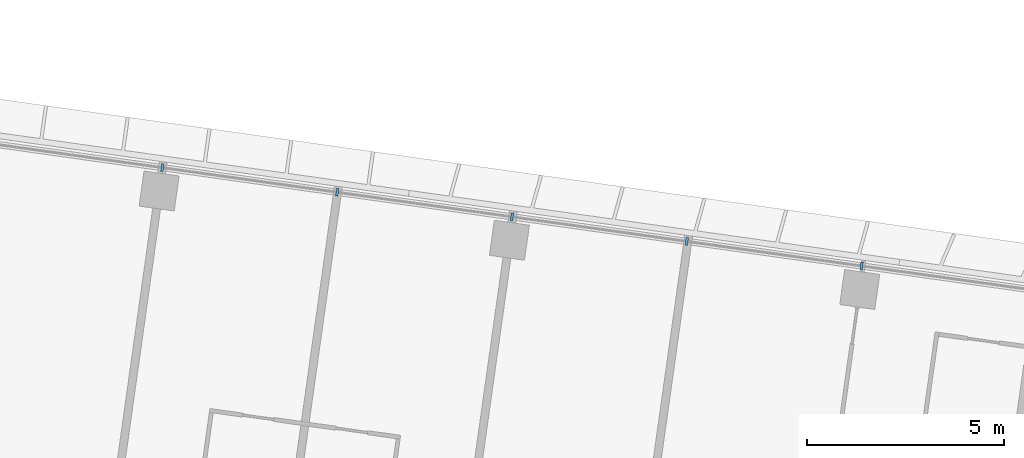
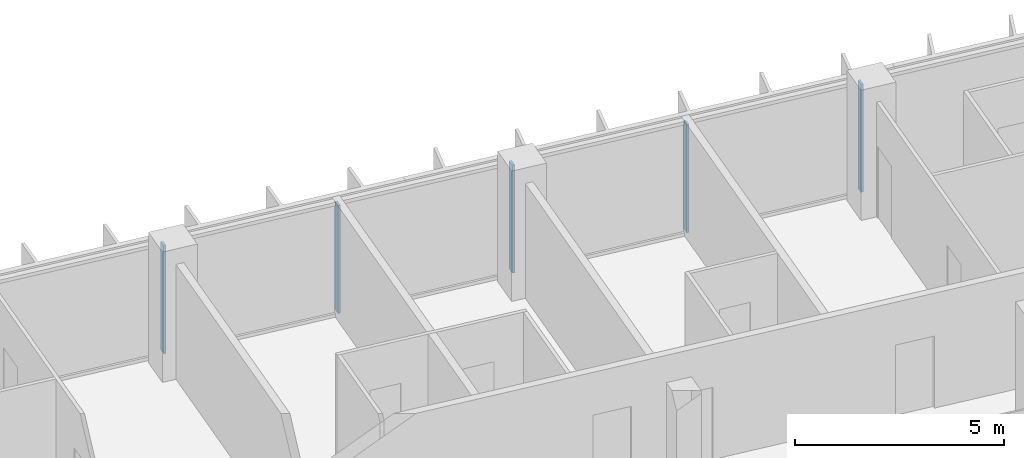
# One storey, part 5 of 24: 5 members, 1 element without a shape of its own.
"""IFC4 building model written with IfcOpenShell, lengths in metres."""

import ifcopenshell
import ifcopenshell.guid

model = None  # the IFC model being written
_history = None  # IfcOwnerHistory: only IFC2X3 demands one
_inside = {}  # id of a spatial element -> (the spatial element, [elements in it])
_under = {}  # id of a project, library or spatial element -> (it, [spatial elements below it])
_declared = {}  # id of a project -> (the project, [libraries it declares])
_typed = {}  # id of a type object -> (the type object, [elements of that type])
_made_of = {}  # id of a material, layer set ... -> (it, [elements and type objects made of it])


def new_model(schema):
    """Start an empty IFC model of exactly this schema.

    Asked for "IFC4X3", IfcOpenShell would pick the latest addendum, in which some entities
    have other attributes; the version numbers below select the first issue.
    IFC2X3 requires an IfcOwnerHistory on every rooted entity: one is made here for all.
    """
    global model, _history
    if schema == "IFC4X3":
        model = ifcopenshell.file(schema_version=(4, 3, 0, 0))
    else:
        model = ifcopenshell.file(schema=schema)
    _inside.clear()
    _under.clear()
    _declared.clear()
    _typed.clear()
    _made_of.clear()
    _history = None
    if model.schema == "IFC2X3":
        org = make("IfcOrganization", Name="unknown")
        user = make(
            "IfcPersonAndOrganization",
            ThePerson=make("IfcPerson", FamilyName="unknown"),
            TheOrganization=org,
        )
        app = make(
            "IfcApplication",
            ApplicationDeveloper=org,
            Version="unknown",
            ApplicationFullName="unknown",
            ApplicationIdentifier="unknown",
        )
        _history = make(
            "IfcOwnerHistory",
            OwningUser=user,
            OwningApplication=app,
            ChangeAction="ADDED",
            CreationDate=0,
        )
    return model


def make(cls, **values):
    """One entity of the class cls with the attributes given. An attribute that is None is left unset."""
    return model.create_entity(
        cls, **{name: value for name, value in values.items() if value is not None}
    )


def rooted(cls, **values):
    """An entity with a GlobalId (a new one), such as an element, a storey or a relation."""
    return make(cls, GlobalId=ifcopenshell.guid.new(), OwnerHistory=_history, **values)


def si_unit(unit_type, name, prefix=None):
    """IfcSIUnit, for example si_unit("LENGTHUNIT", "METRE", prefix="MILLI")."""
    return make("IfcSIUnit", UnitType=unit_type, Prefix=prefix, Name=name)


def assignment(units):
    """IfcUnitAssignment: the units of a project."""
    return None if units is None else make("IfcUnitAssignment", Units=units)


def point(xyz):
    """IfcCartesianPoint."""
    return None if xyz is None else make("IfcCartesianPoint", Coordinates=xyz)


def direction(xyz):
    """IfcDirection."""
    return None if xyz is None else make("IfcDirection", DirectionRatios=xyz)


def frame(location, z_axis=None, x_axis=None):
    """IfcAxis2Placement3D, a coordinate frame: its origin and axes. An axis left out is left unset."""
    return make(
        "IfcAxis2Placement3D",
        Location=point(location),
        Axis=direction(z_axis),
        RefDirection=direction(x_axis),
    )


def frame_2d(location, x_axis=None):
    """IfcAxis2Placement2D, a coordinate frame in the plane: its origin and x axis."""
    return make(
        "IfcAxis2Placement2D", Location=point(location), RefDirection=direction(x_axis)
    )


def origin():
    """The frame at (0, 0, 0) with its axes left unset."""
    return frame((0.0, 0.0, 0.0))


def origin_2d():
    """The frame at (0, 0) in the plane with its x axis left unset."""
    return frame_2d((0.0, 0.0))


def place(relative_to, where):
    """IfcLocalPlacement: puts the frame where relative to a parent placement (None: the world)."""
    return make(
        "IfcLocalPlacement", PlacementRelTo=relative_to, RelativePlacement=where
    )


def context(
    kind, dimensions, precision=None, world=None, true_north=None, identifier=None
):
    """IfcGeometricRepresentationContext, for example the 3D "Model" context."""
    return make(
        "IfcGeometricRepresentationContext",
        ContextIdentifier=identifier,
        ContextType=kind,
        CoordinateSpaceDimension=dimensions,
        Precision=precision,
        WorldCoordinateSystem=world,
        TrueNorth=true_north,
    )


def subcontext(parent, identifier, kind, view, scale=None):
    """IfcGeometricRepresentationSubContext, for example "Body" below "Model"."""
    return make(
        "IfcGeometricRepresentationSubContext",
        ContextIdentifier=identifier,
        ContextType=kind,
        ParentContext=parent,
        TargetScale=scale,
        TargetView=view,
    )


def project(units=None, contexts=None):
    """IfcProject with its units and contexts."""
    return rooted(
        "IfcProject",
        Name="project",
        RepresentationContexts=contexts,
        UnitsInContext=assignment(units),
    )


def spatial(cls, under=None, at=None, **own):
    """A site, building, storey or space (cls), placed at a placement, below another one or the project."""
    s = rooted(cls, ObjectPlacement=at, **own)
    if under is not None:
        _under.setdefault(under.id(), (under, []))[1].append(s)
    return s


def profile(cls, at=None, kind="AREA", **sizes):
    """A parametric profile (cls). Its sizes go by their IFC names, for example OverallWidth=200.0."""
    return make(cls, ProfileType=kind, Position=at, **sizes)


def rectangle(**sizes):
    """IfcRectangleProfileDef."""
    return profile("IfcRectangleProfileDef", **sizes)


def extrude(swept, where, along, depth):
    """IfcExtrudedAreaSolid: the profile swept, set in the frame where, extruded along a direction by depth."""
    return make(
        "IfcExtrudedAreaSolid",
        SweptArea=swept,
        Position=where,
        ExtrudedDirection=direction(along),
        Depth=depth,
    )


def shape(context_of_items, identifier, shape_type, items):
    """IfcShapeRepresentation: the items that make up one representation, for example the "Body"."""
    return make(
        "IfcShapeRepresentation",
        ContextOfItems=context_of_items,
        RepresentationIdentifier=identifier,
        RepresentationType=shape_type,
        Items=items,
    )


def material(Name=None, Category=None):
    """IfcMaterial."""
    return make("IfcMaterial", Name=Name, Category=Category)


def material_profile(
    of_material, cross_section, Name=None, Category=None, Priority=None
):
    """IfcMaterialProfile: a cross section and its material."""
    return make(
        "IfcMaterialProfile",
        Name=Name,
        Material=of_material,
        Profile=cross_section,
        Priority=Priority,
        Category=Category,
    )


def profile_set(profiles, Name=None, composite=None):
    """IfcMaterialProfileSet."""
    return make(
        "IfcMaterialProfileSet",
        Name=Name,
        MaterialProfiles=profiles,
        CompositeProfile=composite,
    )


def made_of(thing, what):
    """Note that an element or type object is made of a material, layer set ...; save() writes the relation."""
    if what is not None:
        _made_of.setdefault(what.id(), (what, []))[1].append(thing)
    return thing


def type_object(cls, material=None, **own):
    """A type object (cls), such as IfcWallType, which elements share."""
    return made_of(rooted(cls, **own), material)


def element(
    cls,
    number,
    at=None,
    inside=None,
    cuts=None,
    type_object=None,
    material=None,
    context=None,
    identifier="Body",
    shape_type=None,
    held_by="IfcProductDefinitionShape",
    body=None,
    shapes=None,
    **own,
):
    """One element of the class cls, such as IfcWall. Its Tag is "e" and its number.

    at: its placement. inside: the storey or other place that contains it. cuts: it is an
    opening in that element (IfcRelVoidsElement). A single representation is given by context,
    identifier, shape_type and body (its items); several are given by shapes. held_by: the class
    of the entity that holds the representations. save() writes the other relations.
    """
    e = rooted(cls, Tag="e%d" % number, ObjectPlacement=at, **own)
    if body is not None:
        shapes = [shape(context, identifier, shape_type, body)]
    if shapes is not None:
        e.Representation = make(held_by, Representations=shapes)
    if inside is not None:
        _inside.setdefault(inside.id(), (inside, []))[1].append(e)
    if cuts is not None:
        rooted(
            "IfcRelVoidsElement", RelatingBuildingElement=cuts, RelatedOpeningElement=e
        )
    if type_object is not None:
        _typed.setdefault(type_object.id(), (type_object, []))[1].append(e)
    return made_of(e, material)


def aggregate(whole, parts):
    """IfcRelAggregates: a whole, such as a stair, and the parts it consists of."""
    return rooted("IfcRelAggregates", RelatingObject=whole, RelatedObjects=parts)


def save(model, path):
    """Write the relations noted so far, then the file.

    IfcRelAggregates (storeys below a building ...), IfcRelContainedInSpatialStructure (elements
    in a storey), IfcRelDefinesByType, IfcRelAssociatesMaterial and IfcRelDeclares: one each for
    every whole, place, type object, material and project.
    """
    for whole, parts in _under.values():
        aggregate(whole, parts)
    for where, things in _inside.values():
        rooted(
            "IfcRelContainedInSpatialStructure",
            RelatedElements=things,
            RelatingStructure=where,
        )
    for kind, things in _typed.values():
        rooted("IfcRelDefinesByType", RelatedObjects=things, RelatingType=kind)
    for what, things in _made_of.values():
        rooted("IfcRelAssociatesMaterial", RelatedObjects=things, RelatingMaterial=what)
    for by, libraries in _declared.values():
        rooted("IfcRelDeclares", RelatingContext=by, RelatedDefinitions=libraries)
    model.write(path)


model = new_model("IFC4")

# Units and contexts
model_context = context("Model", 3, precision=1e-05, world=origin(), true_north=direction((0.0, 1.0)))
body_context = subcontext(model_context, "Body", "Model", "MODEL_VIEW")
ifc_project = project(units=[si_unit("LENGTHUNIT", "METRE"), si_unit("AREAUNIT", "SQUARE_METRE"), si_unit("VOLUMEUNIT", "CUBIC_METRE"), si_unit("PLANEANGLEUNIT", "RADIAN"), si_unit("MASSUNIT", "GRAM", prefix="KILO")], contexts=[model_context])

# Site, building, storey
site_placement = place(None, origin())
site = spatial("IfcSite", under=ifc_project, at=site_placement, CompositionType="ELEMENT")
building_placement = place(site_placement, origin())
building = spatial("IfcBuilding", under=site, at=building_placement, Name="Mirante Cascada Hotel Towers", CompositionType="ELEMENT")
storey_placement = place(building_placement, frame((0.0, 0.0, 110.1)))
storey = spatial("IfcBuildingStorey", under=building, at=storey_placement, Name="L24", CompositionType="ELEMENT", Elevation=110.1)

# Curtain wall, members
ifc_material_1 = material(Name="Aluminium mullion and transom frame with clear laminated glass", Category="aluminium")
curtain_wall_type = type_object("IfcCurtainWallType", Name="Ribbon curtain wall ECW1", PredefinedType="NOTDEFINED", material=ifc_material_1)
curtain_wall_placement = place(storey_placement, origin())
curtain_wall = element("IfcCurtainWall", 1, at=curtain_wall_placement, inside=storey, type_object=curtain_wall_type, Name="Front ribbon wall T1 L24", PredefinedType="NOTDEFINED")
ifc_material_2 = material(Name="Anodised aluminium extrusion", Category="aluminium")
ifc_material_profile = material_profile(ifc_material_2, rectangle(XDim=0.2, YDim=0.065, at=origin_2d()), Name="ECW1 MULLION 65x200")
ifc_profile_set = profile_set([ifc_material_profile], Name="Anodised aluminium extrusion")
member_type = type_object("IfcMemberType", Name="ECW1 mullion 65x200", PredefinedType="MULLION", material=ifc_profile_set)
member_1_placement = place(storey_placement, frame((-63.0262, 21.6768, 0.1), z_axis=(0.0, 0.0, 1.0), x_axis=(0.1391731, 0.9902681, 0.0)))
member_1 = element("IfcMember", 2, at=member_1_placement, type_object=member_type, Name="ECW1 mullion 8", PredefinedType="MULLION", context=body_context, shape_type="SweptSolid", body=[
    extrude(rectangle(XDim=0.2, YDim=0.065, at=origin_2d()), origin(), (0.0, 0.0, 1.0), 3.15),
])
member_2_placement = place(storey_placement, frame((-58.5788, 21.0517, 0.1), z_axis=(0.0, 0.0, 1.0), x_axis=(0.1391731, 0.9902681, 0.0)))
member_2 = element("IfcMember", 3, at=member_2_placement, type_object=member_type, Name="ECW1 mullion 9", PredefinedType="MULLION", context=body_context, shape_type="SweptSolid", body=[
    extrude(rectangle(XDim=0.2, YDim=0.065, at=origin_2d()), origin(), (0.0, 0.0, 1.0), 3.15),
])
member_3_placement = place(storey_placement, frame((-54.1314, 20.4267, 0.1), z_axis=(0.0, 0.0, 1.0), x_axis=(0.1391731, 0.9902681, 0.0)))
member_3 = element("IfcMember", 4, at=member_3_placement, type_object=member_type, Name="ECW1 mullion 10", PredefinedType="MULLION", context=body_context, shape_type="SweptSolid", body=[
    extrude(rectangle(XDim=0.2, YDim=0.065, at=origin_2d()), origin(), (0.0, 0.0, 1.0), 3.15),
])
member_4_placement = place(storey_placement, frame((-49.684, 19.8017, 0.1), z_axis=(0.0, 0.0, 1.0), x_axis=(0.1391731, 0.9902681, 0.0)))
member_4 = element("IfcMember", 5, at=member_4_placement, type_object=member_type, Name="ECW1 mullion 11", PredefinedType="MULLION", context=body_context, shape_type="SweptSolid", body=[
    extrude(rectangle(XDim=0.2, YDim=0.065, at=origin_2d()), origin(), (0.0, 0.0, 1.0), 3.15),
])
member_5_placement = place(storey_placement, frame((-45.2366, 19.1766, 0.1), z_axis=(0.0, 0.0, 1.0), x_axis=(0.1391731, 0.9902681, 0.0)))
member_5 = element("IfcMember", 6, at=member_5_placement, type_object=member_type, Name="ECW1 mullion 12", PredefinedType="MULLION", context=body_context, shape_type="SweptSolid", body=[
    extrude(rectangle(XDim=0.2, YDim=0.065, at=origin_2d()), origin(), (0.0, 0.0, 1.0), 3.15),
])
aggregate(curtain_wall, [member_1, member_2, member_3, member_4, member_5])

save(model, "model.ifc")
